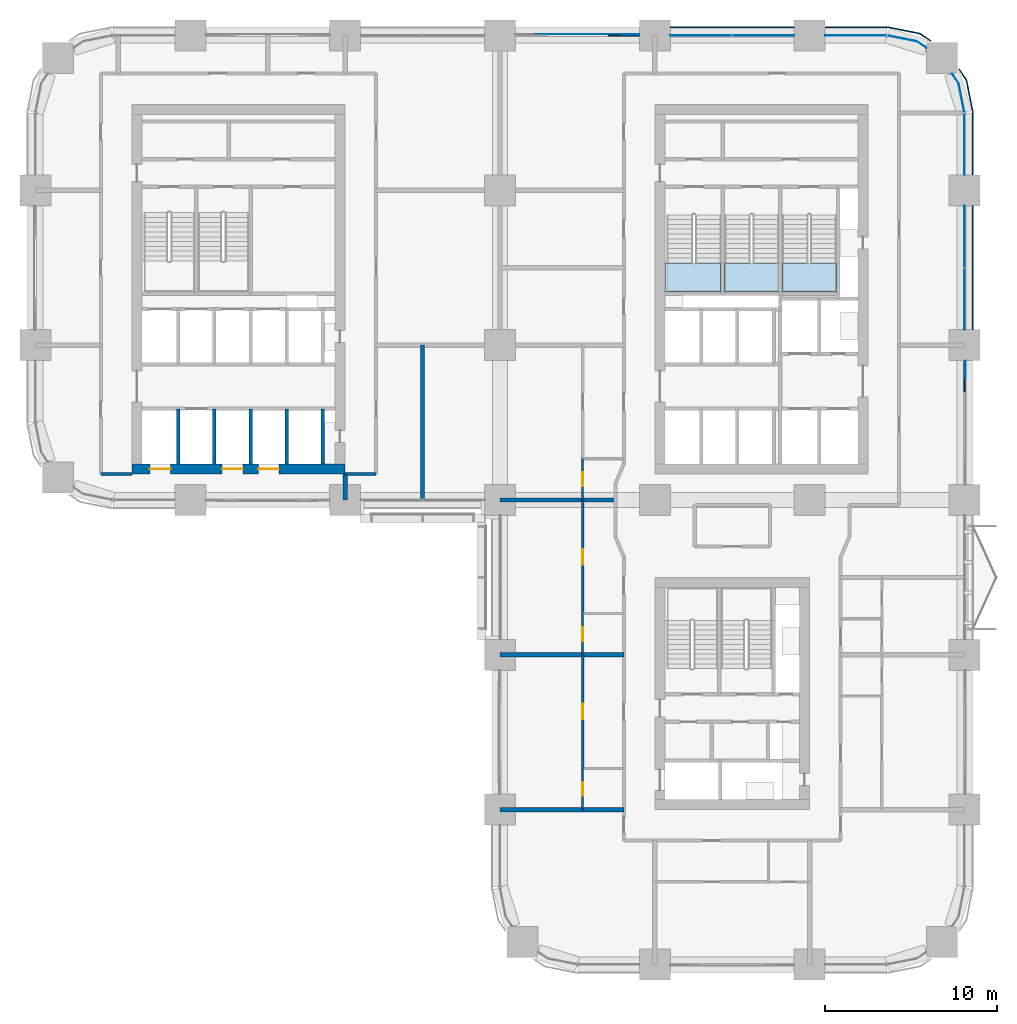
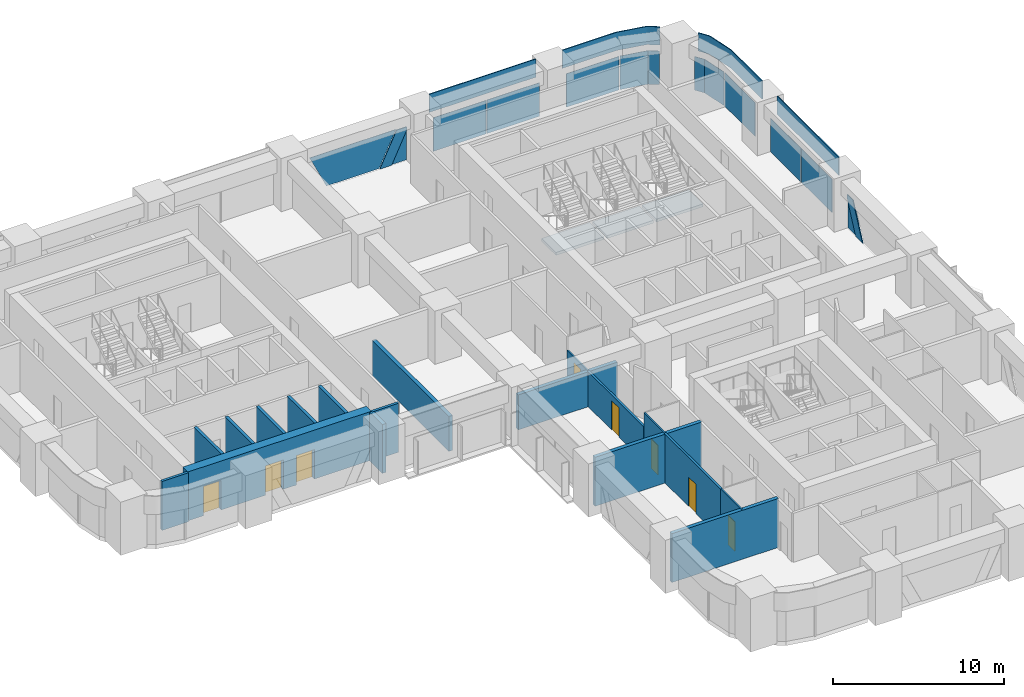
# One storey, part 11 of 18: 18 walls, 17 plates, 8 doors, 3 slabs, 8 openings, 9 elements without a shape of their own.
"""IFC4 building model written with IfcOpenShell, lengths in metres."""

from ifc_helpers import new_model, si_unit, direction, frame, frame_2d, origin, origin_2d, place, context, subcontext, project, spatial, polyline, rectangle, outline, extrude, material, layer, layer_set, type_object, element, fill, aggregate, save


model = new_model("IFC4")

# Units and contexts
model_context = context("Model", 3, precision=1e-05, world=origin(), true_north=direction((0.0, 1.0)))
body_context = subcontext(model_context, "Body", "Model", "MODEL_VIEW")
ifc_project = project(units=[si_unit("LENGTHUNIT", "METRE"), si_unit("AREAUNIT", "SQUARE_METRE"), si_unit("VOLUMEUNIT", "CUBIC_METRE"), si_unit("PLANEANGLEUNIT", "RADIAN"), si_unit("MASSUNIT", "GRAM", prefix="KILO")], contexts=[model_context])

# Site, building, storey
site_placement = place(None, origin())
site = spatial("IfcSite", under=ifc_project, at=site_placement, CompositionType="ELEMENT")
building_placement = place(site_placement, origin())
building = spatial("IfcBuilding", under=site, at=building_placement, Name="Tessera Arch", CompositionType="ELEMENT")
storey_placement = place(building_placement, frame((0.0, 0.0, 104.39990234375)))
storey = spatial("IfcBuildingStorey", under=building, at=storey_placement, Name="L24", CompositionType="ELEMENT", Elevation=104.39990234375)

# Curtain wall, plates
ifc_material_1 = material(Name="CW1 curtain wall")
curtain_wall_type_1 = type_object("IfcCurtainWallType", Name="CW1 curtain wall", PredefinedType="NOTDEFINED", material=ifc_material_1)
curtain_wall_1_placement = place(storey_placement, origin())
curtain_wall_1 = element("IfcCurtainWall", 1, at=curtain_wall_1_placement, inside=storey, type_object=curtain_wall_type_1, Name="CW1 curtain wall N54.0/0 L24", PredefinedType="NOTDEFINED")
ifc_material_2 = material(Name="Clear low-e glass", Category="glass")
ifc_material_3 = material(Name="Clear low-e glass", Category="glass")
ifc_layer_1 = layer(ifc_material_3, 0.028076171875)
ifc_layer_set_1 = layer_set([ifc_layer_1], Name="CW1 glass panel")
plate_type_1 = type_object("IfcPlateType", Name="CW1 glass panel", PredefinedType="CURTAIN_PANEL", material=ifc_layer_set_1)
plate_1_placement = place(storey_placement, frame((42.31494140625, 54.0, 0.000244140625), z_axis=(0.0, 0.0, 1.0), x_axis=(-1.0, 0.0, 0.0)))
plate_1 = element("IfcPlate", 2, at=plate_1_placement, type_object=plate_type_1, material=ifc_material_2, Name="CW1 glass panel N54.0/0 1.1.1", PredefinedType="CURTAIN_PANEL", context=body_context, shape_type="SweptSolid", body=[
    extrude(rectangle(XDim=3.570068359375, YDim=0.028076171875, at=origin_2d()), origin(), (0.0, 0.0, 1.0), 2.39990234375),
])
plate_2_placement = place(storey_placement, frame((38.68505859375, 54.0, 0.000244140625), z_axis=(0.0, 0.0, 1.0), x_axis=(-1.0, 0.0, 0.0)))
plate_2 = element("IfcPlate", 3, at=plate_2_placement, type_object=plate_type_1, material=ifc_material_2, Name="CW1 glass panel N54.0/0 1.2.1", PredefinedType="CURTAIN_PANEL", context=body_context, shape_type="SweptSolid", body=[
    extrude(rectangle(XDim=3.570068359375, YDim=0.028076171875, at=origin_2d()), origin(), (0.0, 0.0, 1.0), 2.39990234375),
])

curtain_wall_2_placement = place(storey_placement, origin())
curtain_wall_2 = element("IfcCurtainWall", 4, at=curtain_wall_2_placement, inside=storey, type_object=curtain_wall_type_1, Name="CW1 curtain wall E54.0/4 L24", PredefinedType="NOTDEFINED")
plate_3_placement = place(storey_placement, frame((54.0, 38.68505859375, 0.000244140625), z_axis=(0.0, 0.0, 1.0), x_axis=(0.0, 1.0, 0.0)))
plate_3 = element("IfcPlate", 5, at=plate_3_placement, type_object=plate_type_1, material=ifc_material_2, Name="CW1 glass panel E54.0/4 1.1.1", PredefinedType="CURTAIN_PANEL", context=body_context, shape_type="SweptSolid", body=[
    extrude(rectangle(XDim=3.570068359375, YDim=0.028076171875, at=origin_2d()), origin(), (0.0, 0.0, 1.0), 2.39990234375),
])
plate_4_placement = place(storey_placement, frame((54.0, 42.31494140625, 0.000244140625), z_axis=(0.0, 0.0, 1.0), x_axis=(0.0, 1.0, 0.0)))
plate_4 = element("IfcPlate", 6, at=plate_4_placement, type_object=plate_type_1, material=ifc_material_2, Name="CW1 glass panel E54.0/4 1.2.1", PredefinedType="CURTAIN_PANEL", context=body_context, shape_type="SweptSolid", body=[
    extrude(rectangle(XDim=3.570068359375, YDim=0.028076171875, at=origin_2d()), origin(), (0.0, 0.0, 1.0), 2.39990234375),
])

# Plate
ifc_material_4 = material(Name="Pale anodised aluminium panel", Category="aluminium")
ifc_layer_2 = layer(ifc_material_4, 0.06005859375)
ifc_layer_set_2 = layer_set([ifc_layer_2], Name="CW1 spandrel panel")
plate_type_2 = type_object("IfcPlateType", Name="CW1 spandrel panel", PredefinedType="CURTAIN_PANEL", material=ifc_layer_set_2)
plate_5_placement = place(storey_placement, frame((40.5, 54.47998046875, 2.5), z_axis=(0.0, 0.0, 1.0), x_axis=(-1.0, 0.0, 0.0)))
plate_5 = element("IfcPlate", 7, at=plate_5_placement, type_object=plate_type_2, Name="CW1 spandrel panel N54.0/0", PredefinedType="CURTAIN_PANEL", context=body_context, shape_type="SweptSolid", body=[
    extrude(rectangle(XDim=7.199951171875, YDim=0.06005859375, at=origin_2d()), origin(), (0.0, 0.0, 1.0), 1.300048828125),
])

aggregate(curtain_wall_1, [plate_1, plate_2, plate_5])

plate_6_placement = place(storey_placement, frame((54.47998046875, 40.5, 2.5), z_axis=(0.0, 0.0, 1.0), x_axis=(0.0, 1.0, 0.0)))
plate_6 = element("IfcPlate", 8, at=plate_6_placement, type_object=plate_type_2, Name="CW1 spandrel panel E54.0/4", PredefinedType="CURTAIN_PANEL", context=body_context, shape_type="SweptSolid", body=[
    extrude(rectangle(XDim=7.199951171875, YDim=0.06005859375, at=origin_2d()), origin(), (0.0, 0.0, 1.0), 1.300048828125),
])

aggregate(curtain_wall_2, [plate_3, plate_4, plate_6])

# Curtain wall, plates
ifc_material_5 = material(Name="CW2 curtain wall")
curtain_wall_type_2 = type_object("IfcCurtainWallType", Name="CW2 curtain wall", PredefinedType="NOTDEFINED", material=ifc_material_5)
curtain_wall_3_placement = place(storey_placement, origin())
curtain_wall_3 = element("IfcCurtainWall", 9, at=curtain_wall_3_placement, inside=storey, type_object=curtain_wall_type_2, Name="CW2 curtain wall E54.0/5 L24", PredefinedType="NOTDEFINED")
ifc_material_6 = material(Name="Clear low-e glass", Category="glass")
ifc_layer_3 = layer(ifc_material_6, 0.028076171875)
ifc_layer_set_3 = layer_set([ifc_layer_3], Name="CW2 glass panel")
plate_type_3 = type_object("IfcPlateType", Name="CW2 glass panel", PredefinedType="CURTAIN_PANEL", material=ifc_layer_set_3)
plate_7_placement = place(storey_placement, frame((54.0, 47.679931640625, 0.000244140625), z_axis=(0.0, 0.0, 1.0), x_axis=(0.0, 1.0, 0.0)))
plate_7 = element("IfcPlate", 10, at=plate_7_placement, type_object=plate_type_3, material=ifc_material_2, Name="CW2 glass panel E54.0/5 1.1", PredefinedType="CURTAIN_PANEL", context=body_context, shape_type="SweptSolid", body=[
    extrude(rectangle(XDim=3.56005859375, YDim=0.028076171875, at=origin_2d()), origin(), (0.0, 0.0, 1.0), 2.39990234375),
])
plate_8_placement = place(storey_placement, origin())
plate_8 = element("IfcPlate", 11, at=plate_8_placement, type_object=plate_type_3, material=ifc_material_2, Name="CW2 curved glass panel E54.0/5 2.1", PredefinedType="CURTAIN_PANEL", context=body_context, shape_type="SweptSolid", body=[
    extrude(outline(polyline([(53.644287109375, 51.216552734375), (53.978515625, 49.53662109375), (54.005859375, 49.5419921875), (53.670654296875, 51.2275390625), (53.294921875, 51.789794921875), (53.271728515625, 51.774169921875), (53.644287109375, 51.216552734375)])), origin(), (0.0, 0.0, 1.0), 2.400146484375),
])

curtain_wall_4_placement = place(storey_placement, origin())
curtain_wall_4 = element("IfcCurtainWall", 12, at=curtain_wall_4_placement, inside=storey, type_object=curtain_wall_type_2, Name="CW2 curtain wall N54.0/5 L24", PredefinedType="NOTDEFINED")
plate_9_placement = place(storey_placement, frame((47.679931640625, 54.0, 0.000244140625), z_axis=(0.0, 0.0, 1.0), x_axis=(-1.0, 0.0, 0.0)))
plate_9 = element("IfcPlate", 13, at=plate_9_placement, type_object=plate_type_3, material=ifc_material_2, Name="CW2 glass panel N54.0/5 1.1", PredefinedType="CURTAIN_PANEL", context=body_context, shape_type="SweptSolid", body=[
    extrude(rectangle(XDim=3.56005859375, YDim=0.028076171875, at=origin_2d()), origin(), (0.0, 0.0, 1.0), 2.39990234375),
])
plate_10_placement = place(storey_placement, origin())
plate_10 = element("IfcPlate", 14, at=plate_10_placement, type_object=plate_type_3, material=ifc_material_2, Name="CW2 curved glass panel N54.0/5 2.1", PredefinedType="CURTAIN_PANEL", context=body_context, shape_type="SweptSolid", body=[
    extrude(outline(polyline([(51.216552734375, 53.644287109375), (51.774169921875, 53.271728515625), (51.789794921875, 53.294921875), (51.2275390625, 53.670654296875), (49.5419921875, 54.005859375), (49.53662109375, 53.978515625), (51.216552734375, 53.644287109375)])), origin(), (0.0, 0.0, 1.0), 2.400146484375),
])

# Plate
ifc_material_7 = material(Name="Pale anodised aluminium panel", Category="aluminium")
ifc_layer_4 = layer(ifc_material_7, 0.06005859375)
ifc_layer_set_4 = layer_set([ifc_layer_4], Name="CW2 spandrel panel")
plate_type_4 = type_object("IfcPlateType", Name="CW2 spandrel panel", PredefinedType="CURTAIN_PANEL", material=ifc_layer_set_4)
plate_11_placement = place(storey_placement, frame((0.0, 0.0, 2.5)))
plate_11 = element("IfcPlate", 15, at=plate_11_placement, type_object=plate_type_4, Name="CW2 spandrel panel E54.0/5", PredefinedType="CURTAIN_PANEL", context=body_context, shape_type="SweptSolid", body=[
    extrude(outline(polyline([(54.449951171875, 49.499267578125), (54.449951171875, 45.89990234375), (54.510009765625, 45.89990234375), (54.510009765625, 49.500732421875), (54.507568359375, 49.550048828125), (54.500244140625, 49.598876953125), (54.157470703125, 51.322265625), (54.1455078125, 51.3701171875), (54.128662109375, 51.417236328125), (54.107177734375, 51.462646484375), (54.08203125, 51.5048828125), (53.707275390625, 52.0654296875), (53.657470703125, 52.031982421875), (54.03125, 51.47265625), (54.05419921875, 51.434326171875), (54.0732421875, 51.394287109375), (54.088134765625, 51.352783203125), (54.09912109375, 51.30908203125), (54.441162109375, 49.588623046875), (54.44775390625, 49.544189453125), (54.449951171875, 49.499267578125)])), origin(), (0.0, 0.0, 1.0), 1.300048828125),
])

aggregate(curtain_wall_3, [plate_7, plate_8, plate_11])

plate_12_placement = place(storey_placement, frame((0.0, 0.0, 2.5)))
plate_12 = element("IfcPlate", 16, at=plate_12_placement, type_object=plate_type_4, Name="CW2 spandrel panel N54.0/5", PredefinedType="CURTAIN_PANEL", context=body_context, shape_type="SweptSolid", body=[
    extrude(outline(polyline([(51.47265625, 54.03125), (52.031982421875, 53.657470703125), (52.0654296875, 53.707275390625), (51.5048828125, 54.08203125), (51.462646484375, 54.107177734375), (51.417236328125, 54.128662109375), (51.3701171875, 54.1455078125), (51.322265625, 54.157470703125), (49.598876953125, 54.500244140625), (49.550048828125, 54.507568359375), (49.500732421875, 54.510009765625), (45.89990234375, 54.510009765625), (45.89990234375, 54.449951171875), (49.499267578125, 54.449951171875), (49.544189453125, 54.44775390625), (49.588623046875, 54.441162109375), (51.30908203125, 54.09912109375), (51.352783203125, 54.088134765625), (51.394287109375, 54.0732421875), (51.434326171875, 54.05419921875), (51.47265625, 54.03125)])), origin(), (0.0, 0.0, 1.0), 1.300048828125),
])

aggregate(curtain_wall_4, [plate_9, plate_10, plate_12])

# Curtain wall, plate
ifc_material_8 = material(Name="CW3 curtain wall")
curtain_wall_type_3 = type_object("IfcCurtainWallType", Name="CW3 curtain wall", PredefinedType="NOTDEFINED", material=ifc_material_8)
curtain_wall_5_placement = place(storey_placement, origin())
curtain_wall_5 = element("IfcCurtainWall", 17, at=curtain_wall_5_placement, inside=storey, type_object=curtain_wall_type_3, Name="CW3 curtain wall N54.0/1 L24", PredefinedType="NOTDEFINED")
ifc_material_9 = material(Name="Pale anodised aluminium panel", Category="aluminium")
ifc_layer_5 = layer(ifc_material_9, 0.06005859375)
ifc_layer_set_5 = layer_set([ifc_layer_5], Name="CW3 diagonal panel")
plate_type_5 = type_object("IfcPlateType", Name="CW3 diagonal panel", PredefinedType="CURTAIN_PANEL", material=ifc_layer_set_5)
plate_13_placement = place(storey_placement, frame((35.10009765625, 54.030029296875, 2.400146484375), z_axis=(0.0, 1.0, 0.0), x_axis=(0.0, 0.0, -1.0)))
plate_13 = element("IfcPlate", 18, at=plate_13_placement, type_object=plate_type_5, Name="CW3 diagonal panel N54.0/1 2", PredefinedType="CURTAIN_PANEL", context=body_context, shape_type="SweptSolid", body=[
    extrude(outline(polyline([(0.0, 0.0), (0.24267578125, 0.0), (2.400146484375, 1.02197265625), (2.400146484375, 1.8203125), (0.0, 0.683349609375), (0.0, 0.0)])), origin(), (0.0, 0.0, -1.0), 0.06005859375),
])

curtain_wall_6_placement = place(storey_placement, origin())
curtain_wall_6 = element("IfcCurtainWall", 19, at=curtain_wall_6_placement, inside=storey, type_object=curtain_wall_type_3, Name="CW3 curtain wall E54.0/3 L24", PredefinedType="NOTDEFINED")
plate_14_placement = place(storey_placement, frame((54.030029296875, 35.10009765625, 2.400146484375), z_axis=(1.0, 0.0, 0.0), x_axis=(0.0, -1.0, 0.0)))
plate_14 = element("IfcPlate", 20, at=plate_14_placement, type_object=plate_type_5, Name="CW3 diagonal panel E54.0/3 1", PredefinedType="CURTAIN_PANEL", context=body_context, shape_type="SweptSolid", body=[
    extrude(outline(polyline([(0.0, 0.0), (0.683349609375, 0.0), (1.8203125, 2.400146484375), (1.02197265625, 2.400146484375), (0.0, 0.24267578125), (0.0, 0.0)])), origin(), (0.0, 0.0, -1.0), 0.06005859375),
])

# Plate
ifc_material_10 = material(Name="Clear low-e glass", Category="glass")
ifc_layer_6 = layer(ifc_material_10, 0.028076171875)
ifc_layer_set_6 = layer_set([ifc_layer_6], Name="CW3 glass panel")
plate_type_6 = type_object("IfcPlateType", Name="CW3 glass panel", PredefinedType="CURTAIN_PANEL", material=ifc_layer_set_6)
plate_15_placement = place(storey_placement, frame((35.10009765625, 54.05810546875, 0.0), z_axis=(0.0, 1.0, 0.0), x_axis=(-1.0, 0.0, 0.0)))
plate_15 = element("IfcPlate", 21, at=plate_15_placement, type_object=plate_type_6, material=ifc_material_2, Name="CW3 triangulated glass panel N54.0/1 1", PredefinedType="CURTAIN_PANEL", context=body_context, shape_type="SweptSolid", body=[
    extrude(outline(polyline([(0.0, 0.0), (1.02197265625, 0.0), (0.0, 2.157470703125), (0.0, 0.0)])), origin(), (0.0, 0.0, -1.0), 0.028076171875),
])

plate_16_placement = place(storey_placement, frame((28.583251953125, 54.0859375, 2.400146484375), z_axis=(0.0, 1.0, 0.0), x_axis=(1.0, 0.0, 0.0)))
plate_16 = element("IfcPlate", 22, at=plate_16_placement, type_object=plate_type_6, material=ifc_material_2, Name="CW3 triangulated glass panel N54.0/1 2", PredefinedType="CURTAIN_PANEL", context=body_context, shape_type="SweptSolid", body=[
    extrude(outline(polyline([(0.0, 0.0), (5.83349609375, 0.0), (4.696533203125, 2.400146484375), (1.136962890625, 2.400146484375), (0.0, 0.0)])), origin(), (0.0, 0.0, -1.0), 0.028076171875),
])

aggregate(curtain_wall_5, [plate_15, plate_16, plate_13])

plate_17_placement = place(storey_placement, frame((54.05810546875, 35.10009765625, 0.0), z_axis=(1.0, 0.0, 0.0), x_axis=(0.0, 0.0, 1.0)))
plate_17 = element("IfcPlate", 23, at=plate_17_placement, type_object=plate_type_6, material=ifc_material_2, Name="CW3 triangulated glass panel E54.0/3 3", PredefinedType="CURTAIN_PANEL", context=body_context, shape_type="SweptSolid", body=[
    extrude(outline(polyline([(0.0, 0.0), (2.157470703125, 0.0), (0.0, 1.02197265625), (0.0, 0.0)])), origin(), (0.0, 0.0, -1.0), 0.028076171875),
])

aggregate(curtain_wall_6, [plate_17, plate_14])

# Stair, slab
ifc_material_11 = material(Name="Concrete C40/50", Category="concrete")
stair_type = type_object("IfcStairType", Name="Dogleg stair 1520", PredefinedType="HALF_TURN_STAIR", material=ifc_material_11)
stair_1_placement = place(storey_placement, origin())
stair_1 = element("IfcStair", 24, at=stair_1_placement, inside=storey, type_object=stair_type, Name="L24 S1a", PredefinedType="HALF_TURN_STAIR")
ifc_material_12 = material(Name="Concrete C40/50", Category="concrete")
ifc_layer_7 = layer(ifc_material_12, 0.300048828125)
ifc_layer_set_7 = layer_set([ifc_layer_7], Name="Stair landing 300")
slab_type = type_object("IfcSlabType", Name="Stair landing 300", PredefinedType="LANDING", material=ifc_layer_set_7)
slab_1_placement = place(storey_placement, frame((0.0, 0.0, 1.7001953125)))
slab_1 = element("IfcSlab", 25, at=slab_1_placement, type_object=slab_type, Name="S1a landing 1", PredefinedType="LANDING", context=body_context, shape_type="SweptSolid", body=[
    extrude(outline(polyline([(36.60009765625, 40.780029296875), (36.60009765625, 39.10009765625), (39.85009765625, 39.10009765625), (39.85009765625, 40.780029296875), (36.60009765625, 40.780029296875)])), origin(), (0.0, 0.0, 1.0), 0.199951171875),
])
aggregate(stair_1, [slab_1])

stair_2_placement = place(storey_placement, origin())
stair_2 = element("IfcStair", 26, at=stair_2_placement, inside=storey, type_object=stair_type, Name="L24 S1b", PredefinedType="HALF_TURN_STAIR")
slab_2_placement = place(storey_placement, frame((0.0, 0.0, 1.7001953125)))
slab_2 = element("IfcSlab", 27, at=slab_2_placement, type_object=slab_type, Name="S1b landing 1", PredefinedType="LANDING", context=body_context, shape_type="SweptSolid", body=[
    extrude(outline(polyline([(40.050048828125, 40.780029296875), (40.050048828125, 39.10009765625), (43.199951171875, 39.10009765625), (43.199951171875, 40.780029296875), (40.050048828125, 40.780029296875)])), origin(), (0.0, 0.0, 1.0), 0.199951171875),
])
aggregate(stair_2, [slab_2])

stair_3_placement = place(storey_placement, origin())
stair_3 = element("IfcStair", 28, at=stair_3_placement, inside=storey, type_object=stair_type, Name="L24 S1c", PredefinedType="HALF_TURN_STAIR")
slab_3_placement = place(storey_placement, frame((0.0, 0.0, 1.7001953125)))
slab_3 = element("IfcSlab", 29, at=slab_3_placement, type_object=slab_type, Name="S1c landing 1", PredefinedType="LANDING", context=body_context, shape_type="SweptSolid", body=[
    extrude(outline(polyline([(43.39990234375, 40.780029296875), (43.39990234375, 39.10009765625), (46.550048828125, 39.10009765625), (46.550048828125, 40.780029296875), (43.39990234375, 40.780029296875)])), origin(), (0.0, 0.0, 1.0), 0.199951171875),
])
aggregate(stair_3, [slab_3])

# Wall, openings, doors
ifc_material_13 = material(Name="Concrete C70/85", Category="concrete")
ifc_layer_8 = layer(ifc_material_13, 0.60009765625)
ifc_layer_set_8 = layer_set([ifc_layer_8], Name="Core shell wall 600 C70-85")
wall_type_1 = type_object("IfcWallType", Name="Core shell wall 600 C70-85", PredefinedType="SHEAR", material=ifc_layer_set_8)
wall_1_placement = place(storey_placement, frame((5.60009765625, 28.800048828125, 0.0), z_axis=(0.0, 0.0, 1.0), x_axis=(1.0, 0.0, 0.0)))
wall_1 = element("IfcWall", 30, at=wall_1_placement, inside=storey, type_object=wall_type_1, Name="L24 C2 core wall S", PredefinedType="SHEAR", context=body_context, shape_type="SweptSolid", body=[
    extrude(rectangle(XDim=12.39990234375, YDim=0.60009765625, at=frame_2d((6.199951171875, 0.0))), origin(), (0.0, 0.0, 1.0), 3.5),
])
opening_1_placement = place(wall_1_placement, frame((1.050048828125, 0.0, 0.0)))
opening_1 = element("IfcOpeningElement", 31, at=opening_1_placement, cuts=wall_1, Name="Opening L24-C14", PredefinedType="OPENING", context=body_context, shape_type="SweptSolid", body=[
    extrude(rectangle(XDim=1.199951171875, YDim=2.10009765625, at=frame_2d((0.60009765625, 1.050048828125))), frame((0.0, 0.31005859375, 0.0), z_axis=(0.0, -1.0, 0.0), x_axis=(1.0, 0.0, 0.0)), (0.0, 0.0, 1.0), 0.6201171875),
])
opening_2_placement = place(wall_1_placement, frame((5.25, 0.0, 0.0)))
opening_2 = element("IfcOpeningElement", 32, at=opening_2_placement, cuts=wall_1, Name="Opening L24-C16", PredefinedType="OPENING", context=body_context, shape_type="SweptSolid", body=[
    extrude(rectangle(XDim=1.199951171875, YDim=2.10009765625, at=frame_2d((0.60009765625, 1.050048828125))), frame((0.0, 0.31005859375, 0.0), z_axis=(0.0, -1.0, 0.0), x_axis=(1.0, 0.0, 0.0)), (0.0, 0.0, 1.0), 0.6201171875),
])
opening_3_placement = place(wall_1_placement, frame((7.35009765625, 0.0, 0.0)))
opening_3 = element("IfcOpeningElement", 33, at=opening_3_placement, cuts=wall_1, Name="Opening L24-C17", PredefinedType="OPENING", context=body_context, shape_type="SweptSolid", body=[
    extrude(rectangle(XDim=1.199951171875, YDim=2.10009765625, at=frame_2d((0.60009765625, 1.050048828125))), frame((0.0, 0.31005859375, 0.0), z_axis=(0.0, -1.0, 0.0), x_axis=(1.0, 0.0, 0.0)), (0.0, 0.0, 1.0), 0.6201171875),
])
ifc_material_14 = material(Name="Stainless steel AISI 304", Category="steel")
door_type_1 = type_object("IfcDoorType", Name="Sliding landing door 1200 x 2100", OperationType="SLIDING_TO_LEFT", PredefinedType="DOOR", material=ifc_material_14)
door_1_placement = place(opening_1_placement, origin())
door_1 = element("IfcDoor", 34, at=door_1_placement, inside=storey, type_object=door_type_1, Name="L24 LR1 lift landing door C14 type LD", OperationType="SLIDING_TO_LEFT", OverallHeight=2.10009765625, OverallWidth=1.199951171875, PredefinedType="DOOR", context=body_context, shape_type="SweptSolid", body=[
    extrude(rectangle(XDim=1.199951171875, YDim=2.10009765625, at=frame_2d((0.60009765625, 1.050048828125))), frame((0.0, 0.02490234375, 0.0), z_axis=(0.0, -1.0, 0.0), x_axis=(1.0, 0.0, 0.0)), (0.0, 0.0, 1.0), 0.050048828125),
])
fill(opening_1, door_1)
door_2_placement = place(opening_2_placement, origin())
door_2 = element("IfcDoor", 35, at=door_2_placement, inside=storey, type_object=door_type_1, Name="L24 LR3 lift landing door C16 type LD", OperationType="SLIDING_TO_LEFT", OverallHeight=2.10009765625, OverallWidth=1.199951171875, PredefinedType="DOOR", context=body_context, shape_type="SweptSolid", body=[
    extrude(rectangle(XDim=1.199951171875, YDim=2.10009765625, at=frame_2d((0.60009765625, 1.050048828125))), frame((0.0, 0.02490234375, 0.0), z_axis=(0.0, -1.0, 0.0), x_axis=(1.0, 0.0, 0.0)), (0.0, 0.0, 1.0), 0.050048828125),
])
fill(opening_2, door_2)
door_3_placement = place(opening_3_placement, origin())
door_3 = element("IfcDoor", 36, at=door_3_placement, inside=storey, type_object=door_type_1, Name="L24 LR4 lift landing door C17 type LD", OperationType="SLIDING_TO_LEFT", OverallHeight=2.10009765625, OverallWidth=1.199951171875, PredefinedType="DOOR", context=body_context, shape_type="SweptSolid", body=[
    extrude(rectangle(XDim=1.199951171875, YDim=2.10009765625, at=frame_2d((0.60009765625, 1.050048828125))), frame((0.0, 0.02490234375, 0.0), z_axis=(0.0, -1.0, 0.0), x_axis=(1.0, 0.0, 0.0)), (0.0, 0.0, 1.0), 0.050048828125),
])
fill(opening_3, door_3)

# Walls
ifc_material_15 = material(Name="Gypsum board on deep steel stud with mineral wool", Category="steel")
ifc_layer_9 = layer(ifc_material_15, 0.175048828125)
ifc_layer_set_9 = layer_set([ifc_layer_9], Name="Corridor wall 175 EI 60")
wall_type_2 = type_object("IfcWallType", Name="Corridor wall 175 EI 60", PredefinedType="PARTITIONING", material=ifc_layer_set_9)
for number, where, z_axis, x_axis, name in (
    (37, (3.800048828125, 28.5, 0.0), (0.0, 0.0, 1.0), (1.0, 0.0, 0.0), "L24 partition 5"),
    (38, (18.0, 28.5, 0.0), (0.0, 0.0, 1.0), (1.0, 0.0, 0.0), "L24 partition 6"),
):
    element("IfcWall", number, at=place(storey_placement, frame(where, z_axis=z_axis, x_axis=x_axis)), inside=storey, type_object=wall_type_2, Name=name, PredefinedType="PARTITIONING", context=body_context, shape_type="SweptSolid", body=[
        extrude(rectangle(XDim=1.800048828125, YDim=0.175048828125, at=frame_2d((0.89990234375, 0.0))), origin(), (0.0, 0.0, 1.0), 3.5),
    ])

# Wall, opening, door
ifc_material_16 = material(Name="Gypsum board on steel stud", Category="steel")
ifc_layer_10 = layer(ifc_material_16, 0.14990234375)
ifc_layer_set_10 = layer_set([ifc_layer_10], Name="Partition 150")
wall_type_3 = type_object("IfcWallType", Name="Partition 150", PredefinedType="PARTITIONING", material=ifc_layer_set_10)
wall_2_placement = place(storey_placement, frame((31.800048828125, 11.39990234375, 0.0), z_axis=(0.0, 0.0, 1.0), x_axis=(0.0, 1.0, 0.0)))
wall_2 = element("IfcWall", 39, at=wall_2_placement, inside=storey, type_object=wall_type_3, Name="L24 partition 20", PredefinedType="PARTITIONING", context=body_context, shape_type="SweptSolid", body=[
    extrude(rectangle(XDim=6.60009765625, YDim=0.14990234375, at=frame_2d((3.300048828125, 0.0))), origin(), (0.0, 0.0, 1.0), 3.5),
])
opening_4_placement = place(wall_2_placement, frame((2.85009765625, 0.0, 0.0)))
opening_4 = element("IfcOpeningElement", 40, at=opening_4_placement, cuts=wall_2, Name="Opening L24-D007", PredefinedType="OPENING", context=body_context, shape_type="SweptSolid", body=[
    extrude(rectangle(XDim=0.89990234375, YDim=2.10009765625, at=frame_2d((0.449951171875, 1.050048828125))), frame((0.0, 0.0849609375, 0.0), z_axis=(0.0, -1.0, 0.0), x_axis=(1.0, 0.0, 0.0)), (0.0, 0.0, 1.0), 0.169921875),
])
ifc_material_17 = material(Name="Timber door leaf", Category="wood")
door_type_2 = type_object("IfcDoorType", Name="Room door 900 x 2100", OperationType="SINGLE_SWING_LEFT", PredefinedType="DOOR", material=ifc_material_17)
door_4_placement = place(opening_4_placement, origin())
door_4 = element("IfcDoor", 41, at=door_4_placement, inside=storey, type_object=door_type_2, Name="L24 door D007 type D01", OperationType="SINGLE_SWING_LEFT", OverallHeight=2.10009765625, OverallWidth=0.89990234375, PredefinedType="DOOR", context=body_context, shape_type="SweptSolid", body=[
    extrude(rectangle(XDim=0.89990234375, YDim=2.10009765625, at=frame_2d((0.449951171875, 1.050048828125))), frame((0.0, 0.02490234375, 0.0), z_axis=(0.0, -1.0, 0.0), x_axis=(1.0, 0.0, 0.0)), (0.0, 0.0, 1.0), 0.050048828125),
])
fill(opening_4, door_4)

wall_3_placement = place(storey_placement, frame((31.800048828125, 20.39990234375, 0.0), z_axis=(0.0, 0.0, 1.0), x_axis=(0.0, 1.0, 0.0)))
wall_3 = element("IfcWall", 42, at=wall_3_placement, inside=storey, type_object=wall_type_3, Name="L24 partition 21", PredefinedType="PARTITIONING", context=body_context, shape_type="SweptSolid", body=[
    extrude(rectangle(XDim=6.60009765625, YDim=0.14990234375, at=frame_2d((3.300048828125, 0.0))), origin(), (0.0, 0.0, 1.0), 2.5),
])
opening_5_placement = place(wall_3_placement, frame((2.85009765625, 0.0, 0.0)))
opening_5 = element("IfcOpeningElement", 43, at=opening_5_placement, cuts=wall_3, Name="Opening L24-D016", PredefinedType="OPENING", context=body_context, shape_type="SweptSolid", body=[
    extrude(rectangle(XDim=0.89990234375, YDim=2.10009765625, at=frame_2d((0.449951171875, 1.050048828125))), frame((0.0, 0.0849609375, 0.0), z_axis=(0.0, -1.0, 0.0), x_axis=(1.0, 0.0, 0.0)), (0.0, 0.0, 1.0), 0.169921875),
])
door_5_placement = place(opening_5_placement, origin())
door_5 = element("IfcDoor", 44, at=door_5_placement, inside=storey, type_object=door_type_2, Name="L24 door D016 type D01", OperationType="SINGLE_SWING_RIGHT", OverallHeight=2.10009765625, OverallWidth=0.89990234375, PredefinedType="DOOR", context=body_context, shape_type="SweptSolid", body=[
    extrude(rectangle(XDim=0.89990234375, YDim=2.10009765625, at=frame_2d((0.449951171875, 1.050048828125))), frame((0.0, 0.02490234375, 0.0), z_axis=(0.0, -1.0, 0.0), x_axis=(1.0, 0.0, 0.0)), (0.0, 0.0, 1.0), 0.050048828125),
])
fill(opening_5, door_5)

# Walls
ifc_material_18 = material(Name="Double gypsum board on twin steel stud with acoustic mineral wool", Category="steel")
ifc_layer_11 = layer(ifc_material_18, 0.25)
ifc_layer_set_11 = layer_set([ifc_layer_11], Name="Party wall 250 EI 60")
wall_type_4 = type_object("IfcWallType", Name="Party wall 250 EI 60", PredefinedType="PARTITIONING", material=ifc_layer_set_11)
for number, where, z_axis, x_axis, name in (
    (45, (27.0, 9.0, 0.0), (0.0, 0.0, 1.0), (1.0, 0.0, 0.0), "L24 partition 25"),
    (46, (27.0, 18.0, 0.0), (0.0, 0.0, 1.0), (1.0, 0.0, 0.0), "L24 partition 27"),
):
    element("IfcWall", number, at=place(storey_placement, frame(where, z_axis=z_axis, x_axis=x_axis)), inside=storey, type_object=wall_type_4, Name=name, PredefinedType="PARTITIONING", context=body_context, shape_type="SweptSolid", body=[
        extrude(rectangle(XDim=7.199951171875, YDim=0.25, at=frame_2d((3.60009765625, 0.0))), origin(), (0.0, 0.0, 1.0), 3.5),
    ])
wall_4_placement = place(storey_placement, frame((27.0, 27.0, 0.0), z_axis=(0.0, 0.0, 1.0), x_axis=(1.0, 0.0, 0.0)))
element("IfcWall", 47, at=wall_4_placement, inside=storey, type_object=wall_type_4, Name="L24 partition 30", PredefinedType="PARTITIONING", context=body_context, shape_type="SweptSolid", body=[
    extrude(rectangle(XDim=6.699951171875, YDim=0.25, at=frame_2d((3.35009765625, 0.0))), origin(), (0.0, 0.0, 1.0), 2.5),
])
wall_5_placement = place(storey_placement, frame((18.0, 27.0, 0.0), z_axis=(0.0, 0.0, 1.0), x_axis=(0.0, 1.0, 0.0)))
element("IfcWall", 48, at=wall_5_placement, inside=storey, type_object=wall_type_4, Name="L24 partition 40", PredefinedType="PARTITIONING", context=body_context, shape_type="SweptSolid", body=[
    extrude(rectangle(XDim=1.5, YDim=0.25, at=frame_2d((0.75, 0.0))), origin(), (0.0, 0.0, 1.0), 3.5),
])
wall_6_placement = place(storey_placement, frame((22.5, 27.0, 0.0), z_axis=(0.0, 0.0, 1.0), x_axis=(0.0, 1.0, 0.0)))
element("IfcWall", 49, at=wall_6_placement, inside=storey, type_object=wall_type_4, Name="L24 partition 42", PredefinedType="PARTITIONING", context=body_context, shape_type="SweptSolid", body=[
    extrude(rectangle(XDim=9.0, YDim=0.25, at=frame_2d((4.5, 0.0))), origin(), (0.0, 0.0, 1.0), 2.5),
])
ifc_material_19 = material(Name="Concrete C40/50", Category="concrete")
ifc_layer_12 = layer(ifc_material_19, 0.199951171875)
ifc_layer_set_12 = layer_set([ifc_layer_12], Name="Shaft wall 200 EI 120")
wall_type_5 = type_object("IfcWallType", Name="Shaft wall 200 EI 120", PredefinedType="SOLIDWALL", material=ifc_layer_set_12)
for number, where, z_axis, x_axis, name in (
    (50, (8.300048828125, 29.10009765625, 0.0), (0.0, 0.0, 1.0), (0.0, 1.0, 0.0), "L24 C2 shaft wall 1"),
    (51, (10.39990234375, 29.10009765625, 0.0), (0.0, 0.0, 1.0), (0.0, 1.0, 0.0), "L24 C2 shaft wall 5"),
    (52, (12.5, 29.10009765625, 0.0), (0.0, 0.0, 1.0), (0.0, 1.0, 0.0), "L24 C2 shaft wall 8"),
    (53, (14.60009765625, 29.10009765625, 0.0), (0.0, 0.0, 1.0), (0.0, 1.0, 0.0), "L24 C2 shaft wall 12"),
    (54, (16.699951171875, 29.10009765625, 0.0), (0.0, 0.0, 1.0), (0.0, 1.0, 0.0), "L24 C2 shaft wall 14"),
):
    element("IfcWall", number, at=place(storey_placement, frame(where, z_axis=z_axis, x_axis=x_axis)), inside=storey, type_object=wall_type_5, Name=name, PredefinedType="SOLIDWALL", context=body_context, shape_type="SweptSolid", body=[
        extrude(rectangle(XDim=3.199951171875, YDim=0.199951171875, at=frame_2d((1.60009765625, 0.0))), origin(), (0.0, 0.0, 1.0), 3.5),
    ])

# Wall, opening, door
ifc_material_20 = material(Name="Moisture-resistant board on pre-plumbed steel stud", Category="steel")
ifc_layer_13 = layer(ifc_material_20, 0.10009765625)
ifc_layer_set_13 = layer_set([ifc_layer_13], Name="Wet wall 100")
wall_type_6 = type_object("IfcWallType", Name="Wet wall 100", PredefinedType="PARTITIONING", material=ifc_layer_set_13)
wall_7_placement = place(storey_placement, frame((31.800048828125, 9.0, 0.0), z_axis=(0.0, 0.0, 1.0), x_axis=(0.0, 1.0, 0.0)))
wall_7 = element("IfcWall", 55, at=wall_7_placement, inside=storey, type_object=wall_type_6, Name="L24 partition 53", PredefinedType="PARTITIONING", context=body_context, shape_type="SweptSolid", body=[
    extrude(rectangle(XDim=2.39990234375, YDim=0.10009765625, at=frame_2d((1.199951171875, 0.0))), origin(), (0.0, 0.0, 1.0), 3.5),
])
opening_6_placement = place(wall_7_placement, frame((0.800048828125, 0.0, 0.0)))
opening_6 = element("IfcOpeningElement", 56, at=opening_6_placement, cuts=wall_7, Name="Opening L24-D008", PredefinedType="OPENING", context=body_context, shape_type="SweptSolid", body=[
    extrude(rectangle(XDim=0.800048828125, YDim=2.10009765625, at=frame_2d((0.39990234375, 1.050048828125))), frame((0.0, 0.06005859375, 0.0), z_axis=(0.0, -1.0, 0.0), x_axis=(1.0, 0.0, 0.0)), (0.0, 0.0, 1.0), 0.1201171875),
])
ifc_material_21 = material(Name="Timber door leaf", Category="wood")
door_type_3 = type_object("IfcDoorType", Name="En-suite door 800 x 2100", OperationType="SINGLE_SWING_LEFT", PredefinedType="DOOR", material=ifc_material_21)
door_6_placement = place(opening_6_placement, origin())
door_6 = element("IfcDoor", 57, at=door_6_placement, inside=storey, type_object=door_type_3, Name="L24 door D008 type D02", OperationType="SINGLE_SWING_RIGHT", OverallHeight=2.10009765625, OverallWidth=0.800048828125, PredefinedType="DOOR", context=body_context, shape_type="SweptSolid", body=[
    extrude(rectangle(XDim=0.800048828125, YDim=2.10009765625, at=frame_2d((0.39990234375, 1.050048828125))), frame((0.0, 0.02490234375, 0.0), z_axis=(0.0, -1.0, 0.0), x_axis=(1.0, 0.0, 0.0)), (0.0, 0.0, 1.0), 0.050048828125),
])
fill(opening_6, door_6)

wall_8_placement = place(storey_placement, frame((31.800048828125, 18.0, 0.0), z_axis=(0.0, 0.0, 1.0), x_axis=(0.0, 1.0, 0.0)))
wall_8 = element("IfcWall", 58, at=wall_8_placement, inside=storey, type_object=wall_type_6, Name="L24 partition 54", PredefinedType="PARTITIONING", context=body_context, shape_type="SweptSolid", body=[
    extrude(rectangle(XDim=2.39990234375, YDim=0.10009765625, at=frame_2d((1.199951171875, 0.0))), origin(), (0.0, 0.0, 1.0), 3.5),
])
opening_7_placement = place(wall_8_placement, frame((0.800048828125, 0.0, 0.0)))
opening_7 = element("IfcOpeningElement", 59, at=opening_7_placement, cuts=wall_8, Name="Opening L24-D017", PredefinedType="OPENING", context=body_context, shape_type="SweptSolid", body=[
    extrude(rectangle(XDim=0.800048828125, YDim=2.10009765625, at=frame_2d((0.39990234375, 1.050048828125))), frame((0.0, 0.06005859375, 0.0), z_axis=(0.0, -1.0, 0.0), x_axis=(1.0, 0.0, 0.0)), (0.0, 0.0, 1.0), 0.1201171875),
])
door_7_placement = place(opening_7_placement, origin())
door_7 = element("IfcDoor", 60, at=door_7_placement, inside=storey, type_object=door_type_3, Name="L24 door D017 type D02", OperationType="SINGLE_SWING_LEFT", OverallHeight=2.10009765625, OverallWidth=0.800048828125, PredefinedType="DOOR", context=body_context, shape_type="SweptSolid", body=[
    extrude(rectangle(XDim=0.800048828125, YDim=2.10009765625, at=frame_2d((0.39990234375, 1.050048828125))), frame((0.0, 0.02490234375, 0.0), z_axis=(0.0, -1.0, 0.0), x_axis=(1.0, 0.0, 0.0)), (0.0, 0.0, 1.0), 0.050048828125),
])
fill(opening_7, door_7)

wall_9_placement = place(storey_placement, frame((31.800048828125, 27.0, 0.0), z_axis=(0.0, 0.0, 1.0), x_axis=(0.0, 1.0, 0.0)))
wall_9 = element("IfcWall", 61, at=wall_9_placement, inside=storey, type_object=wall_type_6, Name="L24 partition 55", PredefinedType="PARTITIONING", context=body_context, shape_type="SweptSolid", body=[
    extrude(rectangle(XDim=2.39990234375, YDim=0.10009765625, at=frame_2d((1.199951171875, 0.0))), origin(), (0.0, 0.0, 1.0), 2.5),
])
opening_8_placement = place(wall_9_placement, frame((0.800048828125, 0.0, 0.0)))
opening_8 = element("IfcOpeningElement", 62, at=opening_8_placement, cuts=wall_9, Name="Opening L24-D024", PredefinedType="OPENING", context=body_context, shape_type="SweptSolid", body=[
    extrude(rectangle(XDim=0.800048828125, YDim=2.10009765625, at=frame_2d((0.39990234375, 1.050048828125))), frame((0.0, 0.06005859375, 0.0), z_axis=(0.0, -1.0, 0.0), x_axis=(1.0, 0.0, 0.0)), (0.0, 0.0, 1.0), 0.1201171875),
])
door_8_placement = place(opening_8_placement, origin())
door_8 = element("IfcDoor", 63, at=door_8_placement, inside=storey, type_object=door_type_3, Name="L24 door D024 type D02", OperationType="SINGLE_SWING_RIGHT", OverallHeight=2.10009765625, OverallWidth=0.800048828125, PredefinedType="DOOR", context=body_context, shape_type="SweptSolid", body=[
    extrude(rectangle(XDim=0.800048828125, YDim=2.10009765625, at=frame_2d((0.39990234375, 1.050048828125))), frame((0.0, 0.02490234375, 0.0), z_axis=(0.0, -1.0, 0.0), x_axis=(1.0, 0.0, 0.0)), (0.0, 0.0, 1.0), 0.050048828125),
])
fill(opening_8, door_8)

save(model, "model.ifc")
